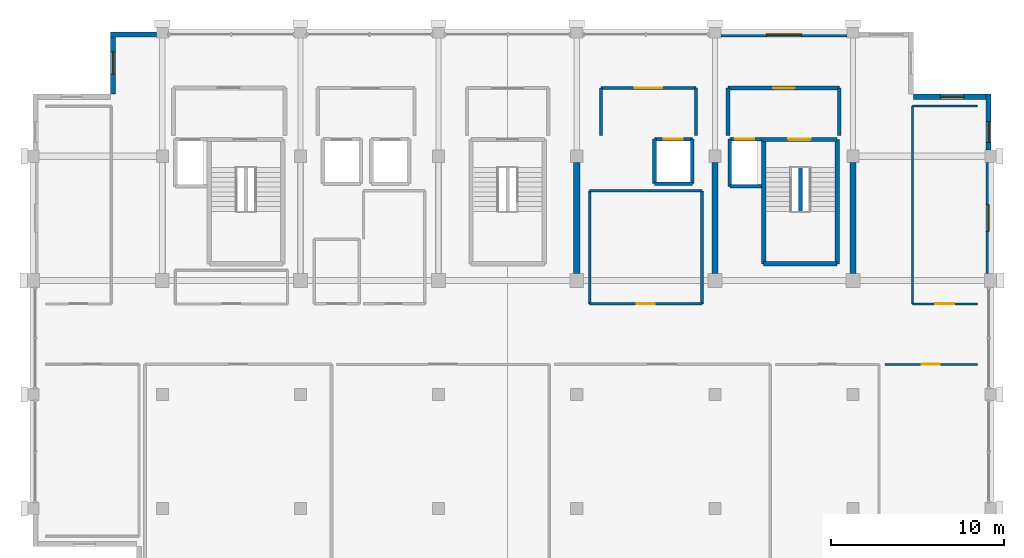
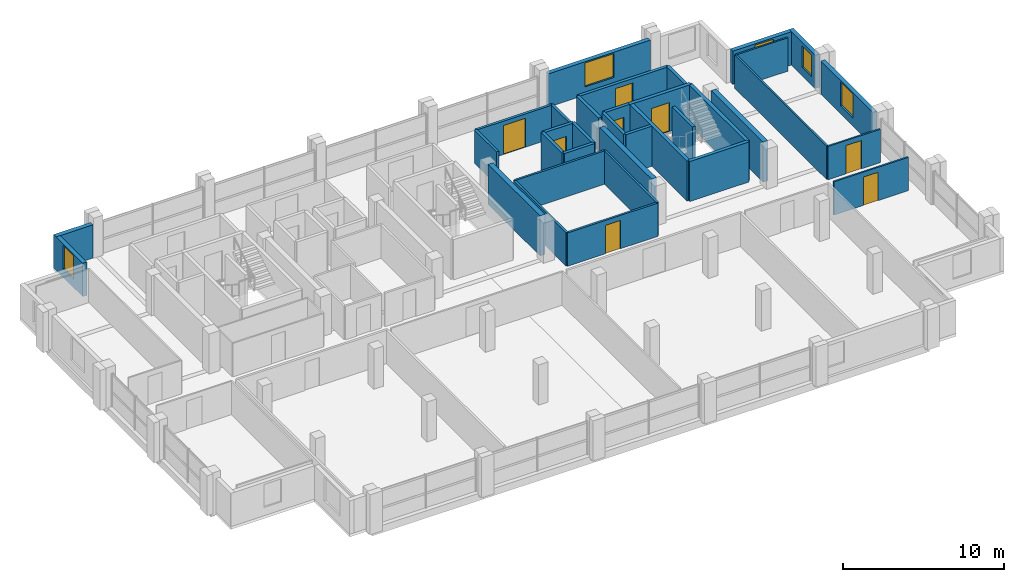
# One storey, part 22 of 24: 35 walls, 8 doors, 5 windows, 13 openings.
"""IFC4 building model written with IfcOpenShell, lengths in metres."""

from ifc_helpers import new_model, si_unit, direction, frame, frame_2d, origin, place, context, subcontext, project, spatial, rectangle, extrude, material, layer, layer_set, type_object, element, fill, save


model = new_model("IFC4")

# Units and contexts
model_context = context("Model", 3, precision=1e-05, world=origin(), true_north=direction((0.0, 1.0)))
body_context = subcontext(model_context, "Body", "Model", "MODEL_VIEW")
ifc_project = project(units=[si_unit("LENGTHUNIT", "METRE"), si_unit("AREAUNIT", "SQUARE_METRE"), si_unit("VOLUMEUNIT", "CUBIC_METRE"), si_unit("PLANEANGLEUNIT", "RADIAN"), si_unit("MASSUNIT", "GRAM", prefix="KILO")], contexts=[model_context])

# Site, building, storey
site_placement = place(None, origin())
site = spatial("IfcSite", under=ifc_project, at=site_placement, CompositionType="ELEMENT")
building_placement = place(site_placement, origin())
building = spatial("IfcBuilding", under=site, at=building_placement, Name="Akrevak Sports Hall", CompositionType="ELEMENT")
storey_placement = place(building_placement, frame((0.0, 0.0, 60.050048828125)))
storey = spatial("IfcBuildingStorey", under=building, at=storey_placement, Name="L15", CompositionType="ELEMENT", Elevation=60.050048828125)

# Wall, opening, window
ifc_material_1 = material(Name="Limestone Ashlar", Category="stone")
ifc_layer_1 = layer(ifc_material_1, 0.06005859375, Name="Limestone Ashlar")
ifc_material_2 = material(Name="Mineral Wool Thermal Insulation", Category="insulation")
ifc_layer_2 = layer(ifc_material_2, 0.090087890625, Name="Mineral Wool Thermal Insulation")
ifc_material_3 = material(Name="Concrete C40/50", Category="concrete")
ifc_layer_3 = layer(ifc_material_3, 0.14990234375, Name="Concrete C40/50")
ifc_layer_set_1 = layer_set([ifc_layer_1, ifc_layer_2, ifc_layer_3], Name="Limestone Ashlar / Mineral Wool Thermal Insulation / Concrete C40/50")
wall_type_1 = type_object("IfcWallType", Name="ARC-WL-EXT-300", PredefinedType="SOLIDWALL", material=ifc_layer_set_1)
wall_1_placement = place(storey_placement, frame((107.85009765625, 55.60009765625, 0.0), z_axis=(0.0, 0.0, 1.0), x_axis=(0.0, 1.0, 0.0)))
wall_1 = element("IfcWall", 1, at=wall_1_placement, inside=storey, type_object=wall_type_1, Name="Tower Stone Facade Wall L15-E13", PredefinedType="SOLIDWALL", context=body_context, shape_type="SweptSolid", body=[
    extrude(rectangle(XDim=6.449951171875, YDim=0.300048828125, at=frame_2d((3.22509765625, 0.0))), origin(), (0.0, 0.0, 1.0), 2.530029296875),
])
opening_1_placement = place(wall_1_placement, frame((2.449951171875, 0.0, 0.6201171875)))
opening_1 = element("IfcOpeningElement", 2, at=opening_1_placement, cuts=wall_1, Name="Opening WN-50", PredefinedType="OPENING", context=body_context, shape_type="SweptSolid", body=[
    extrude(rectangle(XDim=1.550048828125, YDim=1.81005859375, at=frame_2d((0.77490234375, 0.905029296875))), frame((0.0, 0.162109375, 0.0), z_axis=(0.0, -1.0, 0.0), x_axis=(1.0, 0.0, 0.0)), (0.0, 0.0, 1.0), 0.323974609375),
])
ifc_material_4 = material(Name="Thermally Broken Bronze Frame & Double Low-E Glass", Category="glass")
window_type_1 = type_object("IfcWindowType", Name="ARC-WIN-SZ-1550x1810", PartitioningType="SINGLE_PANEL", PredefinedType="WINDOW", material=ifc_material_4)
window_1_placement = place(opening_1_placement, origin())
window_1 = element("IfcWindow", 3, at=window_1_placement, inside=storey, type_object=window_type_1, Name="Tower Window L15-E13", OverallHeight=1.81005859375, OverallWidth=1.550048828125, PartitioningType="SINGLE_PANEL", PredefinedType="WINDOW", context=body_context, shape_type="SweptSolid", body=[
    extrude(rectangle(XDim=1.550048828125, YDim=1.81005859375, at=frame_2d((0.77490234375, 0.905029296875))), frame((0.0, 0.030029296875, 0.0), z_axis=(0.0, -1.0, 0.0), x_axis=(1.0, 0.0, 0.0)), (0.0, 0.0, 1.0), 0.06005859375),
])
fill(opening_1, window_1)

wall_2_placement = place(storey_placement, frame((107.85009765625, 62.75, 0.0), z_axis=(0.0, 0.0, 1.0), x_axis=(0.0, 1.0, 0.0)))
wall_2 = element("IfcWall", 4, at=wall_2_placement, inside=storey, type_object=wall_type_1, Name="Tower Stone Facade Wall L15-E14", PredefinedType="SOLIDWALL", context=body_context, shape_type="SweptSolid", body=[
    extrude(rectangle(XDim=3.25, YDim=0.300048828125, at=frame_2d((1.625, 0.0))), origin(), (0.0, 0.0, 1.0), 2.530029296875),
])
opening_2_placement = place(wall_2_placement, frame((0.449951171875, 0.0, 0.6201171875)))
opening_2 = element("IfcOpeningElement", 5, at=opening_2_placement, cuts=wall_2, Name="Opening WN-45", PredefinedType="OPENING", context=body_context, shape_type="SweptSolid", body=[
    extrude(rectangle(XDim=1.199951171875, YDim=1.64990234375, at=frame_2d((0.60009765625, 0.824951171875))), frame((0.0, 0.162109375, 0.0), z_axis=(0.0, -1.0, 0.0), x_axis=(1.0, 0.0, 0.0)), (0.0, 0.0, 1.0), 0.323974609375),
])
window_type_2 = type_object("IfcWindowType", Name="ARC-WIN-SZ-1200x1650", PartitioningType="SINGLE_PANEL", PredefinedType="WINDOW", material=ifc_material_4)
window_2_placement = place(opening_2_placement, origin())
window_2 = element("IfcWindow", 6, at=window_2_placement, inside=storey, type_object=window_type_2, Name="Tower Window L15-E14", OverallHeight=1.64990234375, OverallWidth=1.199951171875, PartitioningType="SINGLE_PANEL", PredefinedType="WINDOW", context=body_context, shape_type="SweptSolid", body=[
    extrude(rectangle(XDim=1.199951171875, YDim=1.64990234375, at=frame_2d((0.60009765625, 0.824951171875))), frame((0.0, 0.030029296875, 0.0), z_axis=(0.0, -1.0, 0.0), x_axis=(1.0, 0.0, 0.0)), (0.0, 0.0, 1.0), 0.06005859375),
])
fill(opening_2, window_2)

wall_3_placement = place(storey_placement, frame((108.0, 65.85009765625, 0.0), z_axis=(0.0, 0.0, 1.0), x_axis=(-1.0, 0.0, 0.0)))
wall_3 = element("IfcWall", 7, at=wall_3_placement, inside=storey, type_object=wall_type_1, Name="Tower Stone Facade Wall L15-N15", PredefinedType="SOLIDWALL", context=body_context, shape_type="SweptSolid", body=[
    extrude(rectangle(XDim=4.5, YDim=0.300048828125, at=frame_2d((2.25, 0.0))), origin(), (0.0, 0.0, 1.0), 2.530029296875),
])
opening_3_placement = place(wall_3_placement, frame((1.574951171875, 0.0, 0.6201171875)))
opening_3 = element("IfcOpeningElement", 8, at=opening_3_placement, cuts=wall_3, Name="Opening WN-19", PredefinedType="OPENING", context=body_context, shape_type="SweptSolid", body=[
    extrude(rectangle(XDim=1.35009765625, YDim=1.800048828125, at=frame_2d((0.675048828125, 0.89990234375))), frame((0.0, 0.162109375, 0.0), z_axis=(0.0, -1.0, 0.0), x_axis=(1.0, 0.0, 0.0)), (0.0, 0.0, 1.0), 0.323974609375),
])
window_type_3 = type_object("IfcWindowType", Name="ARC-WIN-TW-135x180", PartitioningType="SINGLE_PANEL", PredefinedType="WINDOW", material=ifc_material_4)
window_3_placement = place(opening_3_placement, origin())
window_3 = element("IfcWindow", 9, at=window_3_placement, inside=storey, type_object=window_type_3, Name="Tower Window L15-N15", OverallHeight=1.800048828125, OverallWidth=1.35009765625, PartitioningType="SINGLE_PANEL", PredefinedType="WINDOW", context=body_context, shape_type="SweptSolid", body=[
    extrude(rectangle(XDim=1.35009765625, YDim=1.800048828125, at=frame_2d((0.675048828125, 0.89990234375))), frame((0.0, 0.030029296875, 0.0), z_axis=(0.0, -1.0, 0.0), x_axis=(1.0, 0.0, 0.0)), (0.0, 0.0, 1.0), 0.06005859375),
])
fill(opening_3, window_3)

wall_4_placement = place(storey_placement, frame((99.64990234375, 69.449951171875, 0.0), z_axis=(0.0, 0.0, 1.0), x_axis=(-1.0, 0.0, 0.0)))
wall_4 = element("IfcWall", 10, at=wall_4_placement, inside=storey, type_object=wall_type_1, Name="Tower Stone Facade Wall L15-N18", PredefinedType="SOLIDWALL", context=body_context, shape_type="SweptSolid", body=[
    extrude(rectangle(XDim=7.2998046875, YDim=0.300048828125, at=frame_2d((3.64990234375, 0.0))), origin(), (0.0, 0.0, 1.0), 2.530029296875),
])
opening_4_placement = place(wall_4_placement, frame((2.625, 0.0, 0.6201171875)))
opening_4 = element("IfcOpeningElement", 11, at=opening_4_placement, cuts=wall_4, Name="Opening WN-53", PredefinedType="OPENING", context=body_context, shape_type="SweptSolid", body=[
    extrude(rectangle(XDim=2.050048828125, YDim=1.81005859375, at=frame_2d((1.02490234375, 0.905029296875))), frame((0.0, 0.162109375, 0.0), z_axis=(0.0, -1.0, 0.0), x_axis=(1.0, 0.0, 0.0)), (0.0, 0.0, 1.0), 0.323974609375),
])
window_type_4 = type_object("IfcWindowType", Name="ARC-WIN-SZ-2050x1810", PartitioningType="SINGLE_PANEL", PredefinedType="WINDOW", material=ifc_material_4)
window_4_placement = place(opening_4_placement, origin())
window_4 = element("IfcWindow", 12, at=window_4_placement, inside=storey, type_object=window_type_4, Name="Tower Window L15-N18", OverallHeight=1.81005859375, OverallWidth=2.050048828125, PartitioningType="SINGLE_PANEL", PredefinedType="WINDOW", context=body_context, shape_type="SweptSolid", body=[
    extrude(rectangle(XDim=2.050048828125, YDim=1.81005859375, at=frame_2d((1.02490234375, 0.905029296875))), frame((0.0, 0.030029296875, 0.0), z_axis=(0.0, -1.0, 0.0), x_axis=(1.0, 0.0, 0.0)), (0.0, 0.0, 1.0), 0.06005859375),
])
fill(opening_4, window_4)

# Wall
wall_5_placement = place(storey_placement, frame((59.64990234375, 69.449951171875, 0.0), z_axis=(0.0, 0.0, 1.0), x_axis=(-1.0, 0.0, 0.0)))
element("IfcWall", 13, at=wall_5_placement, inside=storey, type_object=wall_type_1, Name="Tower Stone Facade Wall L15-N23", PredefinedType="SOLIDWALL", context=body_context, shape_type="SweptSolid", body=[
    extrude(rectangle(XDim=2.64990234375, YDim=0.300048828125, at=frame_2d((1.324951171875, 0.0))), origin(), (0.0, 0.0, 1.0), 2.530029296875),
])

# Wall, opening, window
wall_6_placement = place(storey_placement, frame((57.14990234375, 69.60009765625, 0.0), z_axis=(0.0, 0.0, 1.0), x_axis=(0.0, -1.0, 0.0)))
wall_6 = element("IfcWall", 14, at=wall_6_placement, inside=storey, type_object=wall_type_1, Name="Tower Stone Facade Wall L15-W24", PredefinedType="SOLIDWALL", context=body_context, shape_type="SweptSolid", body=[
    extrude(rectangle(XDim=3.60009765625, YDim=0.300048828125, at=frame_2d((1.800048828125, 0.0))), origin(), (0.0, 0.0, 1.0), 2.530029296875),
])
opening_5_placement = place(wall_6_placement, frame((1.14990234375, 0.0, 0.6201171875)))
opening_5 = element("IfcOpeningElement", 15, at=opening_5_placement, cuts=wall_6, Name="Opening WN-12", PredefinedType="OPENING", context=body_context, shape_type="SweptSolid", body=[
    extrude(rectangle(XDim=1.300048828125, YDim=1.800048828125, at=frame_2d((0.64990234375, 0.89990234375))), frame((0.0, 0.162109375, 0.0), z_axis=(0.0, -1.0, 0.0), x_axis=(1.0, 0.0, 0.0)), (0.0, 0.0, 1.0), 0.323974609375),
])
window_type_5 = type_object("IfcWindowType", Name="ARC-WIN-TW-130x180", PartitioningType="SINGLE_PANEL", PredefinedType="WINDOW", material=ifc_material_4)
window_5_placement = place(opening_5_placement, origin())
window_5 = element("IfcWindow", 16, at=window_5_placement, inside=storey, type_object=window_type_5, Name="Tower Window L15-W24", OverallHeight=1.800048828125, OverallWidth=1.300048828125, PartitioningType="SINGLE_PANEL", PredefinedType="WINDOW", context=body_context, shape_type="SweptSolid", body=[
    extrude(rectangle(XDim=1.300048828125, YDim=1.800048828125, at=frame_2d((0.64990234375, 0.89990234375))), frame((0.0, 0.030029296875, 0.0), z_axis=(0.0, -1.0, 0.0), x_axis=(1.0, 0.0, 0.0)), (0.0, 0.0, 1.0), 0.06005859375),
])
fill(opening_5, window_5)

# Wall, opening, door
ifc_material_5 = material(Name="Standard Metal Stud Partition", Category="gypsum")
ifc_layer_4 = layer(ifc_material_5, 0.1201171875, Name="Standard Metal Stud Partition")
ifc_layer_set_2 = layer_set([ifc_layer_4], Name="Standard Metal Stud Partition")
wall_type_2 = type_object("IfcWallType", Name="ARC-WL-PRT-120", PredefinedType="PARTITIONING", material=ifc_layer_set_2)
wall_7_placement = place(storey_placement, frame((101.85009765625, 50.35009765625, 0.0), z_axis=(0.0, 0.0, 1.0), x_axis=(1.0, 0.0, 0.0)))
wall_7 = element("IfcWall", 17, at=wall_7_placement, inside=storey, type_object=wall_type_2, Name="Interior Partition International Federation Office East (L15) (N)", PredefinedType="PARTITIONING", context=body_context, shape_type="SweptSolid", body=[
    extrude(rectangle(XDim=5.349853515625, YDim=0.1201171875, at=frame_2d((2.6748046875, 0.0))), origin(), (0.0, 0.0, 1.0), 2.530029296875),
])
opening_6_placement = place(wall_7_placement, frame((2.125, 0.0, 0.0)))
opening_6 = element("IfcOpeningElement", 18, at=opening_6_placement, cuts=wall_7, Name="Opening ID-05", PredefinedType="OPENING", context=body_context, shape_type="SweptSolid", body=[
    extrude(rectangle(XDim=1.050048828125, YDim=2.14990234375, at=frame_2d((0.52490234375, 1.074951171875))), frame((0.0, 0.072021484375, 0.0), z_axis=(0.0, -1.0, 0.0), x_axis=(1.0, 0.0, 0.0)), (0.0, 0.0, 1.0), 0.14404296875),
])
ifc_material_6 = material(Name="Hardwood Oak Acoustic Leaf", Category="wood")
door_type_1 = type_object("IfcDoorType", Name="ARC-DR-OFF-105x215", OperationType="NOTDEFINED", PredefinedType="DOOR", material=ifc_material_6)
door_1_placement = place(opening_6_placement, origin())
door_1 = element("IfcDoor", 19, at=door_1_placement, inside=storey, type_object=door_type_1, Name="Door to International Federation Office East (L15)", OperationType="SINGLE_SWING_LEFT", OverallHeight=2.14990234375, OverallWidth=1.050048828125, PredefinedType="DOOR", context=body_context, shape_type="SweptSolid", body=[
    extrude(rectangle(XDim=1.050048828125, YDim=2.14990234375, at=frame_2d((0.52490234375, 1.074951171875))), frame((0.0, 0.02490234375, 0.0), z_axis=(0.0, -1.0, 0.0), x_axis=(1.0, 0.0, 0.0)), (0.0, 0.0, 1.0), 0.050048828125),
])
fill(opening_6, door_1)

wall_8_placement = place(storey_placement, frame((103.449951171875, 53.85009765625, 0.0), z_axis=(0.0, 0.0, 1.0), x_axis=(1.0, 0.0, 0.0)))
wall_8 = element("IfcWall", 20, at=wall_8_placement, inside=storey, type_object=wall_type_2, Name="Interior Partition Heritage Curatorial Office (L15) (S)", PredefinedType="PARTITIONING", context=body_context, shape_type="SweptSolid", body=[
    extrude(rectangle(XDim=3.75, YDim=0.1201171875, at=frame_2d((1.875, 0.0))), origin(), (0.0, 0.0, 1.0), 2.530029296875),
])
opening_7_placement = place(wall_8_placement, frame((1.300048828125, 0.0, 0.0)))
opening_7 = element("IfcOpeningElement", 21, at=opening_7_placement, cuts=wall_8, Name="Opening ID-04", PredefinedType="OPENING", context=body_context, shape_type="SweptSolid", body=[
    extrude(rectangle(XDim=1.10009765625, YDim=2.14990234375, at=frame_2d((0.550048828125, 1.074951171875))), frame((0.0, 0.072021484375, 0.0), z_axis=(0.0, -1.0, 0.0), x_axis=(1.0, 0.0, 0.0)), (0.0, 0.0, 1.0), 0.14404296875),
])
door_type_2 = type_object("IfcDoorType", Name="ARC-DR-OFF-110x215", OperationType="NOTDEFINED", PredefinedType="DOOR", material=ifc_material_6)
door_2_placement = place(opening_7_placement, origin())
door_2 = element("IfcDoor", 22, at=door_2_placement, inside=storey, type_object=door_type_2, Name="Door to Heritage Curatorial Office (L15)", OperationType="SINGLE_SWING_LEFT", OverallHeight=2.14990234375, OverallWidth=1.10009765625, PredefinedType="DOOR", context=body_context, shape_type="SweptSolid", body=[
    extrude(rectangle(XDim=1.10009765625, YDim=2.14990234375, at=frame_2d((0.550048828125, 1.074951171875))), frame((0.0, 0.02490234375, 0.0), z_axis=(0.0, -1.0, 0.0), x_axis=(1.0, 0.0, 0.0)), (0.0, 0.0, 1.0), 0.050048828125),
])
fill(opening_7, door_2)

# Walls
wall_9_placement = place(storey_placement, frame((103.449951171875, 65.300048828125, 0.0), z_axis=(0.0, 0.0, 1.0), x_axis=(1.0, 0.0, 0.0)))
element("IfcWall", 23, at=wall_9_placement, inside=storey, type_object=wall_type_2, Name="Interior Partition Heritage Curatorial Office (L15) (N)", PredefinedType="PARTITIONING", context=body_context, shape_type="SweptSolid", body=[
    extrude(rectangle(XDim=3.75, YDim=0.1201171875, at=frame_2d((1.875, 0.0))), origin(), (0.0, 0.0, 1.0), 2.530029296875),
])
wall_10_placement = place(storey_placement, frame((103.449951171875, 53.85009765625, 0.0), z_axis=(0.0, 0.0, 1.0), x_axis=(0.0, 1.0, 0.0)))
element("IfcWall", 24, at=wall_10_placement, inside=storey, type_object=wall_type_2, Name="Interior Partition Heritage Curatorial Office (L15) (W)", PredefinedType="PARTITIONING", context=body_context, shape_type="SweptSolid", body=[
    extrude(rectangle(XDim=11.449951171875, YDim=0.1201171875, at=frame_2d((5.72509765625, 0.0))), origin(), (0.0, 0.0, 1.0), 2.530029296875),
])

# Wall, opening, door
ifc_material_7 = material(Name="Double Stud Acoustic Gypsum Partition", Category="gypsum")
ifc_layer_5 = layer(ifc_material_7, 0.14990234375, Name="Double Stud Acoustic Gypsum Partition")
ifc_layer_set_3 = layer_set([ifc_layer_5], Name="Double Stud Acoustic Gypsum Partition")
wall_type_3 = type_object("IfcWallType", Name="ARC-WL-PRT-150", PredefinedType="PARTITIONING", material=ifc_layer_set_3)
wall_11_placement = place(storey_placement, frame((84.75, 53.85009765625, 0.0), z_axis=(0.0, 0.0, 1.0), x_axis=(1.0, 0.0, 0.0)))
wall_11 = element("IfcWall", 25, at=wall_11_placement, inside=storey, type_object=wall_type_3, Name="Interior Partition Federation Officiating Office East (L15) (S)", PredefinedType="PARTITIONING", context=body_context, shape_type="SweptSolid", body=[
    extrude(rectangle(XDim=6.5, YDim=0.14990234375, at=frame_2d((3.25, 0.0))), origin(), (0.0, 0.0, 1.0), 2.530029296875),
])
opening_8_placement = place(wall_11_placement, frame((2.72509765625, 0.0, 0.0)))
opening_8 = element("IfcOpeningElement", 26, at=opening_8_placement, cuts=wall_11, Name="Opening ID-05", PredefinedType="OPENING", context=body_context, shape_type="SweptSolid", body=[
    extrude(rectangle(XDim=1.050048828125, YDim=2.14990234375, at=frame_2d((0.52490234375, 1.074951171875))), frame((0.0, 0.0869140625, 0.0), z_axis=(0.0, -1.0, 0.0), x_axis=(1.0, 0.0, 0.0)), (0.0, 0.0, 1.0), 0.173828125),
])
door_3_placement = place(opening_8_placement, frame((1.050048828125, 0.0, 0.0), z_axis=(0.0, 0.0, 1.0), x_axis=(-1.0, 0.0, 0.0)))
door_3 = element("IfcDoor", 27, at=door_3_placement, inside=storey, type_object=door_type_1, Name="Door to Federation Officiating Office East (L15)", OperationType="SINGLE_SWING_RIGHT", OverallHeight=2.14990234375, OverallWidth=1.050048828125, PredefinedType="DOOR", context=body_context, shape_type="SweptSolid", body=[
    extrude(rectangle(XDim=1.050048828125, YDim=2.14990234375, at=frame_2d((0.52490234375, 1.074951171875))), frame((0.0, 0.02490234375, 0.0), z_axis=(0.0, -1.0, 0.0), x_axis=(1.0, 0.0, 0.0)), (0.0, 0.0, 1.0), 0.050048828125),
])
fill(opening_8, door_3)

# Walls
wall_12_placement = place(storey_placement, frame((84.75, 60.39990234375, 0.0), z_axis=(0.0, 0.0, 1.0), x_axis=(1.0, 0.0, 0.0)))
element("IfcWall", 28, at=wall_12_placement, inside=storey, type_object=wall_type_3, Name="Interior Partition Federation Officiating Office East (L15) (N)", PredefinedType="PARTITIONING", context=body_context, shape_type="SweptSolid", body=[
    extrude(rectangle(XDim=6.5, YDim=0.14990234375, at=frame_2d((3.25, 0.0))), origin(), (0.0, 0.0, 1.0), 2.530029296875),
])
for number, where, z_axis, x_axis, name in (
    (29, (84.75, 53.85009765625, 0.0), (0.0, 0.0, 1.0), (0.0, 1.0, 0.0), "Interior Partition Federation Officiating Office East (L15) (W)"),
    (30, (91.25, 53.85009765625, 0.0), (0.0, 0.0, 1.0), (0.0, 1.0, 0.0), "Interior Partition Federation Officiating Office East (L15) (E)"),
):
    element("IfcWall", number, at=place(storey_placement, frame(where, z_axis=z_axis, x_axis=x_axis)), inside=storey, type_object=wall_type_3, Name=name, PredefinedType="PARTITIONING", context=body_context, shape_type="SweptSolid", body=[
        extrude(rectangle(XDim=6.5498046875, YDim=0.14990234375, at=frame_2d((3.27490234375, 0.0))), origin(), (0.0, 0.0, 1.0), 2.530029296875),
    ])

# Wall, opening, door
ifc_material_8 = material(Name="Autoclaved Aerated Masonry Block", Category="masonry")
ifc_layer_6 = layer(ifc_material_8, 0.179931640625, Name="Autoclaved Aerated Masonry Block")
ifc_layer_set_4 = layer_set([ifc_layer_6], Name="Autoclaved Aerated Masonry Block")
wall_type_4 = type_object("IfcWallType", Name="ARC-WL-PRT-180", PredefinedType="PARTITIONING", material=ifc_layer_set_4)
wall_13_placement = place(storey_placement, frame((85.39990234375, 66.35009765625, 0.0), z_axis=(0.0, 0.0, 1.0), x_axis=(1.0, 0.0, 0.0)))
wall_13 = element("IfcWall", 31, at=wall_13_placement, inside=storey, type_object=wall_type_4, Name="Interior Partition East Passenger Lift Lobby L15 (N)", PredefinedType="PARTITIONING", context=body_context, shape_type="SweptSolid", body=[
    extrude(rectangle(XDim=5.5, YDim=0.179931640625, at=frame_2d((2.75, 0.0))), origin(), (0.0, 0.0, 1.0), 2.530029296875),
])
opening_9_placement = place(wall_13_placement, frame((1.949951171875, 0.0, 0.0)))
opening_9 = element("IfcOpeningElement", 32, at=opening_9_placement, cuts=wall_13, Name="Opening ID-03", PredefinedType="OPENING", context=body_context, shape_type="SweptSolid", body=[
    extrude(rectangle(XDim=1.60009765625, YDim=2.199951171875, at=frame_2d((0.800048828125, 1.10009765625))), frame((0.0, 0.10205078125, 0.0), z_axis=(0.0, -1.0, 0.0), x_axis=(1.0, 0.0, 0.0)), (0.0, 0.0, 1.0), 0.203857421875),
])
ifc_material_9 = material(Name="Hardwood Oak & Safety Glass", Category="wood")
door_type_3 = type_object("IfcDoorType", Name="ARC-DR-HALL-160x220", OperationType="DOUBLE_DOOR_SINGLE_SWING", PredefinedType="DOOR", material=ifc_material_9)
door_4_placement = place(opening_9_placement, origin())
door_4 = element("IfcDoor", 33, at=door_4_placement, inside=storey, type_object=door_type_3, Name="Door to East Passenger Lift Lobby L15", OperationType="DOUBLE_DOOR_SINGLE_SWING", OverallHeight=2.199951171875, OverallWidth=1.60009765625, PredefinedType="DOOR", context=body_context, shape_type="SweptSolid", body=[
    extrude(rectangle(XDim=1.60009765625, YDim=2.199951171875, at=frame_2d((0.800048828125, 1.10009765625))), frame((0.0, 0.02490234375, 0.0), z_axis=(0.0, -1.0, 0.0), x_axis=(1.0, 0.0, 0.0)), (0.0, 0.0, 1.0), 0.050048828125),
])
fill(opening_9, door_4)

# Walls
for number, where, z_axis, x_axis, name in (
    (34, (85.39990234375, 63.60009765625, 0.0), (0.0, 0.0, 1.0), (0.0, 1.0, 0.0), "Interior Partition East Passenger Lift Lobby L15 (W)"),
    (35, (90.89990234375, 63.60009765625, 0.0), (0.0, 0.0, 1.0), (0.0, 1.0, 0.0), "Interior Partition East Passenger Lift Lobby L15 (E)"),
):
    element("IfcWall", number, at=place(storey_placement, frame(where, z_axis=z_axis, x_axis=x_axis)), inside=storey, type_object=wall_type_4, Name=name, PredefinedType="PARTITIONING", context=body_context, shape_type="SweptSolid", body=[
        extrude(rectangle(XDim=2.75, YDim=0.179931640625, at=frame_2d((1.375, 0.0))), origin(), (0.0, 0.0, 1.0), 2.530029296875),
    ])
ifc_layer_7 = layer(ifc_material_3, 0.219970703125, Name="Concrete C40/50")
ifc_layer_set_5 = layer_set([ifc_layer_7], Name="Concrete C40/50")
wall_type_5 = type_object("IfcWallType", Name="ARC-WL-PRT-220", PredefinedType="PARTITIONING", material=ifc_layer_set_5)
wall_14_placement = place(storey_placement, frame((96.949951171875, 59.215087890625, 0.0), z_axis=(0.0, 0.0, 1.0), x_axis=(0.0, 1.0, 0.0)))
element("IfcWall", 36, at=wall_14_placement, inside=storey, type_object=wall_type_5, Name="Stair ST2 Central Spine Wall (L15)", PredefinedType="PARTITIONING", context=body_context, shape_type="SweptSolid", body=[
    extrude(rectangle(XDim=2.52001953125, YDim=0.219970703125, at=frame_2d((1.260009765625, 0.0))), origin(), (0.0, 0.0, 1.0), 3.0400390625),
])

# Wall, opening, door
wall_15_placement = place(storey_placement, frame((92.75, 66.35009765625, 0.0), z_axis=(0.0, 0.0, 1.0), x_axis=(1.0, 0.0, 0.0)))
wall_15 = element("IfcWall", 37, at=wall_15_placement, inside=storey, type_object=wall_type_5, Name="Interior Partition Firefighting Lobby East L15 (N)", PredefinedType="PARTITIONING", context=body_context, shape_type="SweptSolid", body=[
    extrude(rectangle(XDim=6.449951171875, YDim=0.219970703125, at=frame_2d((3.22509765625, 0.0))), origin(), (0.0, 0.0, 1.0), 2.530029296875),
])
opening_10_placement = place(wall_15_placement, frame((2.625, 0.0, 0.0)))
opening_10 = element("IfcOpeningElement", 38, at=opening_10_placement, cuts=wall_15, Name="Opening FD-01", PredefinedType="OPENING", context=body_context, shape_type="SweptSolid", body=[
    extrude(rectangle(XDim=1.25, YDim=2.199951171875, at=frame_2d((0.625, 1.10009765625))), frame((0.0, 0.1220703125, 0.0), z_axis=(0.0, -1.0, 0.0), x_axis=(1.0, 0.0, 0.0)), (0.0, 0.0, 1.0), 0.243896484375),
])
ifc_material_10 = material(Name="Fire-Rated Galvanized Door Steel", Category="steel")
door_type_4 = type_object("IfcDoorType", Name="ARC-DR-FFL-125x220", OperationType="NOTDEFINED", PredefinedType="DOOR", material=ifc_material_10)
door_5_placement = place(opening_10_placement, frame((1.25, 0.0, 0.0), z_axis=(0.0, 0.0, 1.0), x_axis=(-1.0, 0.0, 0.0)))
door_5 = element("IfcDoor", 39, at=door_5_placement, inside=storey, type_object=door_type_4, Name="Door to Firefighting Lobby East L15", OperationType="SINGLE_SWING_LEFT", OverallHeight=2.199951171875, OverallWidth=1.25, PredefinedType="DOOR", context=body_context, shape_type="SweptSolid", body=[
    extrude(rectangle(XDim=1.25, YDim=2.199951171875, at=frame_2d((0.625, 1.10009765625))), frame((0.0, 0.02490234375, 0.0), z_axis=(0.0, -1.0, 0.0), x_axis=(1.0, 0.0, 0.0)), (0.0, 0.0, 1.0), 0.050048828125),
])
fill(opening_10, door_5)

# Walls
for number, where, z_axis, x_axis, name in (
    (40, (92.75, 63.60009765625, 0.0), (0.0, 0.0, 1.0), (0.0, 1.0, 0.0), "Interior Partition Firefighting Lobby East L15 (W)"),
    (41, (99.199951171875, 63.60009765625, 0.0), (0.0, 0.0, 1.0), (0.0, 1.0, 0.0), "Interior Partition Firefighting Lobby East L15 (E)"),
):
    element("IfcWall", number, at=place(storey_placement, frame(where, z_axis=z_axis, x_axis=x_axis)), inside=storey, type_object=wall_type_5, Name=name, PredefinedType="PARTITIONING", context=body_context, shape_type="SweptSolid", body=[
        extrude(rectangle(XDim=2.75, YDim=0.219970703125, at=frame_2d((1.375, 0.0))), origin(), (0.0, 0.0, 1.0), 2.530029296875),
    ])
ifc_material_11 = material(Name="Concrete C50/60", Category="concrete")
ifc_layer_8 = layer(ifc_material_11, 0.219970703125, Name="Concrete C50/60")
ifc_layer_set_6 = layer_set([ifc_layer_8], Name="Concrete C50/60")
wall_type_6 = type_object("IfcWallType", Name="ARC-WL-SHAFT-220", PredefinedType="SHEAR", material=ifc_layer_set_6)
wall_16_placement = place(storey_placement, frame((92.860107421875, 60.659912109375, 0.0), z_axis=(0.0, 0.0, 1.0), x_axis=(1.0, 0.0, 0.0)))
element("IfcWall", 42, at=wall_16_placement, inside=storey, type_object=wall_type_6, Name="Lift Shaft LF-FF2 Wall S (L15)", PredefinedType="SHEAR", context=body_context, shape_type="SweptSolid", body=[
    extrude(rectangle(XDim=1.83984375, YDim=0.219970703125, at=frame_2d((0.919921875, 0.0))), origin(), (0.0, 0.0, 1.0), 3.0400390625),
])

# Wall, opening, door
wall_17_placement = place(storey_placement, frame((94.699951171875, 63.389892578125, 0.0), z_axis=(0.0, 0.0, 1.0), x_axis=(-1.0, 0.0, 0.0)))
wall_17 = element("IfcWall", 43, at=wall_17_placement, inside=storey, type_object=wall_type_6, Name="Lift Shaft LF-FF2 Wall N (L15)", PredefinedType="SHEAR", context=body_context, shape_type="SweptSolid", body=[
    extrude(rectangle(XDim=1.83984375, YDim=0.219970703125, at=frame_2d((0.919921875, 0.0))), origin(), (0.0, 0.0, 1.0), 3.0400390625),
])
opening_11_placement = place(wall_17_placement, frame((0.425048828125, 0.0, 0.0)))
opening_11 = element("IfcOpeningElement", 44, at=opening_11_placement, cuts=wall_17, Name="Opening LD-01", PredefinedType="OPENING", context=body_context, shape_type="SweptSolid", body=[
    extrude(rectangle(XDim=1.10009765625, YDim=2.199951171875, at=frame_2d((0.550048828125, 1.10009765625))), frame((0.0, 0.1220703125, 0.0), z_axis=(0.0, -1.0, 0.0), x_axis=(1.0, 0.0, 0.0)), (0.0, 0.0, 1.0), 0.243896484375),
])
ifc_material_12 = material(Name="Brushed Stainless Steel 304", Category="steel")
door_type_5 = type_object("IfcDoorType", Name="ARC-DR-LD-110x220", OperationType="SLIDING_TO_LEFT", PredefinedType="DOOR", material=ifc_material_12)
door_6_placement = place(opening_11_placement, origin())
door_6 = element("IfcDoor", 45, at=door_6_placement, inside=storey, type_object=door_type_5, Name="Lift LF-FF2 Sliding Landing Door (L15)", OperationType="SLIDING_TO_RIGHT", OverallHeight=2.199951171875, OverallWidth=1.10009765625, PredefinedType="DOOR", context=body_context, shape_type="SweptSolid", body=[
    extrude(rectangle(XDim=1.10009765625, YDim=2.199951171875, at=frame_2d((0.550048828125, 1.10009765625))), frame((0.0, 0.02490234375, 0.0), z_axis=(0.0, -1.0, 0.0), x_axis=(1.0, 0.0, 0.0)), (0.0, 0.0, 1.0), 0.050048828125),
])
fill(opening_11, door_6)

# Walls
wall_18_placement = place(storey_placement, frame((92.860107421875, 63.389892578125, 0.0), z_axis=(0.0, 0.0, 1.0), x_axis=(0.0, -1.0, 0.0)))
element("IfcWall", 46, at=wall_18_placement, inside=storey, type_object=wall_type_6, Name="Lift Shaft LF-FF2 Wall W (L15)", PredefinedType="SHEAR", context=body_context, shape_type="SweptSolid", body=[
    extrude(rectangle(XDim=2.72998046875, YDim=0.219970703125, at=frame_2d((1.364990234375, 0.0))), origin(), (0.0, 0.0, 1.0), 3.0400390625),
])
wall_19_placement = place(storey_placement, frame((88.510009765625, 60.81005859375, 0.0), z_axis=(0.0, 0.0, 1.0), x_axis=(1.0, 0.0, 0.0)))
element("IfcWall", 47, at=wall_19_placement, inside=storey, type_object=wall_type_6, Name="Lift Shaft LF-P4 Wall S (L15)", PredefinedType="SHEAR", context=body_context, shape_type="SweptSolid", body=[
    extrude(rectangle(XDim=2.179931640625, YDim=0.219970703125, at=frame_2d((1.08984375, 0.0))), origin(), (0.0, 0.0, 1.0), 3.0400390625),
])

# Wall, opening, door
wall_20_placement = place(storey_placement, frame((90.68994140625, 63.389892578125, 0.0), z_axis=(0.0, 0.0, 1.0), x_axis=(-1.0, 0.0, 0.0)))
wall_20 = element("IfcWall", 48, at=wall_20_placement, inside=storey, type_object=wall_type_6, Name="Lift Shaft LF-P4 Wall N (L15)", PredefinedType="SHEAR", context=body_context, shape_type="SweptSolid", body=[
    extrude(rectangle(XDim=2.179931640625, YDim=0.219970703125, at=frame_2d((1.08984375, 0.0))), origin(), (0.0, 0.0, 1.0), 3.0400390625),
])
opening_12_placement = place(wall_20_placement, frame((0.5400390625, 0.0, 0.0)))
opening_12 = element("IfcOpeningElement", 49, at=opening_12_placement, cuts=wall_20, Name="Opening LD-01", PredefinedType="OPENING", context=body_context, shape_type="SweptSolid", body=[
    extrude(rectangle(XDim=1.10009765625, YDim=2.199951171875, at=frame_2d((0.550048828125, 1.10009765625))), frame((0.0, 0.1220703125, 0.0), z_axis=(0.0, -1.0, 0.0), x_axis=(1.0, 0.0, 0.0)), (0.0, 0.0, 1.0), 0.243896484375),
])
door_7_placement = place(opening_12_placement, origin())
door_7 = element("IfcDoor", 50, at=door_7_placement, inside=storey, type_object=door_type_5, Name="Lift LF-P4 Sliding Landing Door (L15)", OperationType="SLIDING_TO_RIGHT", OverallHeight=2.199951171875, OverallWidth=1.10009765625, PredefinedType="DOOR", context=body_context, shape_type="SweptSolid", body=[
    extrude(rectangle(XDim=1.10009765625, YDim=2.199951171875, at=frame_2d((0.550048828125, 1.10009765625))), frame((0.0, 0.02490234375, 0.0), z_axis=(0.0, -1.0, 0.0), x_axis=(1.0, 0.0, 0.0)), (0.0, 0.0, 1.0), 0.050048828125),
])
fill(opening_12, door_7)

# Walls
for number, where, z_axis, x_axis, name in (
    (51, (88.510009765625, 63.389892578125, 0.0), (0.0, 0.0, 1.0), (0.0, -1.0, 0.0), "Lift Shaft LF-P4 Wall W (L15)"),
    (52, (90.68994140625, 60.81005859375, 0.0), (0.0, 0.0, 1.0), (0.0, 1.0, 0.0), "Lift Shaft LF-P4 Wall E (L15)"),
):
    element("IfcWall", number, at=place(storey_placement, frame(where, z_axis=z_axis, x_axis=x_axis)), inside=storey, type_object=wall_type_6, Name=name, PredefinedType="SHEAR", context=body_context, shape_type="SweptSolid", body=[
        extrude(rectangle(XDim=2.579833984375, YDim=0.219970703125, at=frame_2d((1.2900390625, 0.0))), origin(), (0.0, 0.0, 1.0), 3.0400390625),
    ])
ifc_layer_9 = layer(ifc_material_11, 0.35009765625, Name="Concrete C50/60")
ifc_layer_set_7 = layer_set([ifc_layer_9], Name="Concrete C50/60")
wall_type_7 = type_object("IfcWallType", Name="STR-WL-CORE-350", PredefinedType="SHEAR", material=ifc_layer_set_7)
for number, where, z_axis, x_axis, name in (
    (53, (84.0, 55.60009765625, 0.0), (0.0, 0.0, 1.0), (0.0, 1.0, 0.0), "Reinforced Concrete Shear Wall SW-C2 (L15)"),
    (54, (92.0, 55.60009765625, 0.0), (0.0, 0.0, 1.0), (0.0, 1.0, 0.0), "Reinforced Concrete Shear Wall SW-E1 (L15)"),
    (55, (100.0, 55.60009765625, 0.0), (0.0, 0.0, 1.0), (0.0, 1.0, 0.0), "Reinforced Concrete Shear Wall SW-E2 (L15)"),
):
    element("IfcWall", number, at=place(storey_placement, frame(where, z_axis=z_axis, x_axis=x_axis)), inside=storey, type_object=wall_type_7, Name=name, PredefinedType="SHEAR", context=body_context, shape_type="SweptSolid", body=[
        extrude(rectangle(XDim=6.449951171875, YDim=0.35009765625, at=frame_2d((3.22509765625, 0.0))), origin(), (0.0, 0.0, 1.0), 3.0400390625),
    ])
ifc_layer_10 = layer(ifc_material_11, 0.25, Name="Concrete C50/60")
ifc_layer_set_8 = layer_set([ifc_layer_10], Name="Concrete C50/60")
wall_type_8 = type_object("IfcWallType", Name="STR-WL-STAIR-250", PredefinedType="SHEAR", material=ifc_layer_set_8)
wall_21_placement = place(storey_placement, frame((94.824951171875, 56.175048828125, 0.0), z_axis=(0.0, 0.0, 1.0), x_axis=(1.0, 0.0, 0.0)))
element("IfcWall", 56, at=wall_21_placement, inside=storey, type_object=wall_type_8, Name="Stair Core ST2 Shear Wall S (L15)", PredefinedType="SHEAR", context=body_context, shape_type="SweptSolid", body=[
    extrude(rectangle(XDim=4.25, YDim=0.25, at=frame_2d((2.125, 0.0))), origin(), (0.0, 0.0, 1.0), 3.0400390625),
])

# Wall, opening, door
wall_22_placement = place(storey_placement, frame((99.074951171875, 63.375, 0.0), z_axis=(0.0, 0.0, 1.0), x_axis=(-1.0, 0.0, 0.0)))
wall_22 = element("IfcWall", 57, at=wall_22_placement, inside=storey, type_object=wall_type_8, Name="Stair Core ST2 Shear Wall N (L15)", PredefinedType="SHEAR", context=body_context, shape_type="SweptSolid", body=[
    extrude(rectangle(XDim=4.375, YDim=0.25, at=frame_2d((2.1875, 0.0))), origin(), (0.0, 0.0, 1.0), 3.0400390625),
])
opening_13_placement = place(wall_22_placement, frame((1.53759765625, 0.0, 0.0)))
opening_13 = element("IfcOpeningElement", 58, at=opening_13_placement, cuts=wall_22, Name="Opening SD-01", PredefinedType="OPENING", context=body_context, shape_type="SweptSolid", body=[
    extrude(rectangle(XDim=1.300048828125, YDim=2.199951171875, at=frame_2d((0.64990234375, 1.10009765625))), frame((0.0, 0.136962890625, 0.0), z_axis=(0.0, -1.0, 0.0), x_axis=(1.0, 0.0, 0.0)), (0.0, 0.0, 1.0), 0.27392578125),
])
door_type_6 = type_object("IfcDoorType", Name="ARC-DR-STAIR-130x220", OperationType="NOTDEFINED", PredefinedType="DOOR", material=ifc_material_10)
door_8_placement = place(opening_13_placement, origin())
door_8 = element("IfcDoor", 59, at=door_8_placement, inside=storey, type_object=door_type_6, Name="Exit Stair ST2 Door (L15)", OperationType="SINGLE_SWING_RIGHT", OverallHeight=2.199951171875, OverallWidth=1.300048828125, PredefinedType="DOOR", context=body_context, shape_type="SweptSolid", body=[
    extrude(rectangle(XDim=1.300048828125, YDim=2.199951171875, at=frame_2d((0.64990234375, 1.10009765625))), frame((0.0, 0.02490234375, 0.0), z_axis=(0.0, -1.0, 0.0), x_axis=(1.0, 0.0, 0.0)), (0.0, 0.0, 1.0), 0.050048828125),
])
fill(opening_13, door_8)

# Walls
wall_23_placement = place(storey_placement, frame((94.824951171875, 63.25, 0.0), z_axis=(0.0, 0.0, 1.0), x_axis=(0.0, -1.0, 0.0)))
element("IfcWall", 60, at=wall_23_placement, inside=storey, type_object=wall_type_8, Name="Stair Core ST2 Shear Wall W (L15)", PredefinedType="SHEAR", context=body_context, shape_type="SweptSolid", body=[
    extrude(rectangle(XDim=7.074951171875, YDim=0.25, at=frame_2d((3.53759765625, 0.0))), origin(), (0.0, 0.0, 1.0), 3.0400390625),
])
wall_24_placement = place(storey_placement, frame((99.074951171875, 56.175048828125, 0.0), z_axis=(0.0, 0.0, 1.0), x_axis=(0.0, 1.0, 0.0)))
element("IfcWall", 61, at=wall_24_placement, inside=storey, type_object=wall_type_8, Name="Stair Core ST2 Shear Wall E (L15)", PredefinedType="SHEAR", context=body_context, shape_type="SweptSolid", body=[
    extrude(rectangle(XDim=7.199951171875, YDim=0.25, at=frame_2d((3.60009765625, 0.0))), origin(), (0.0, 0.0, 1.0), 3.0400390625),
])

save(model, "model.ifc")
